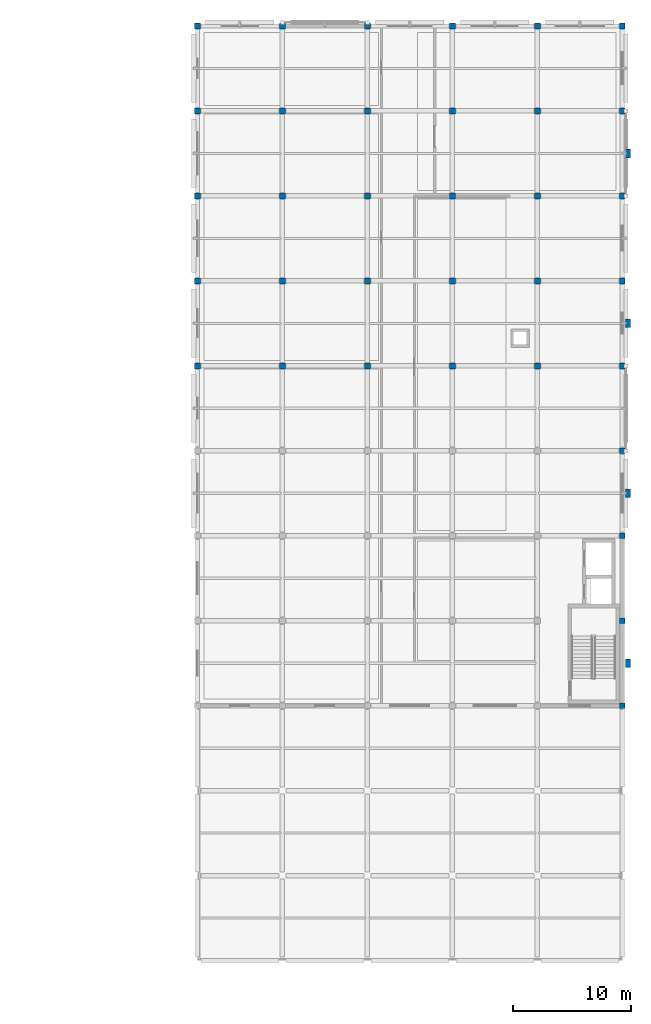
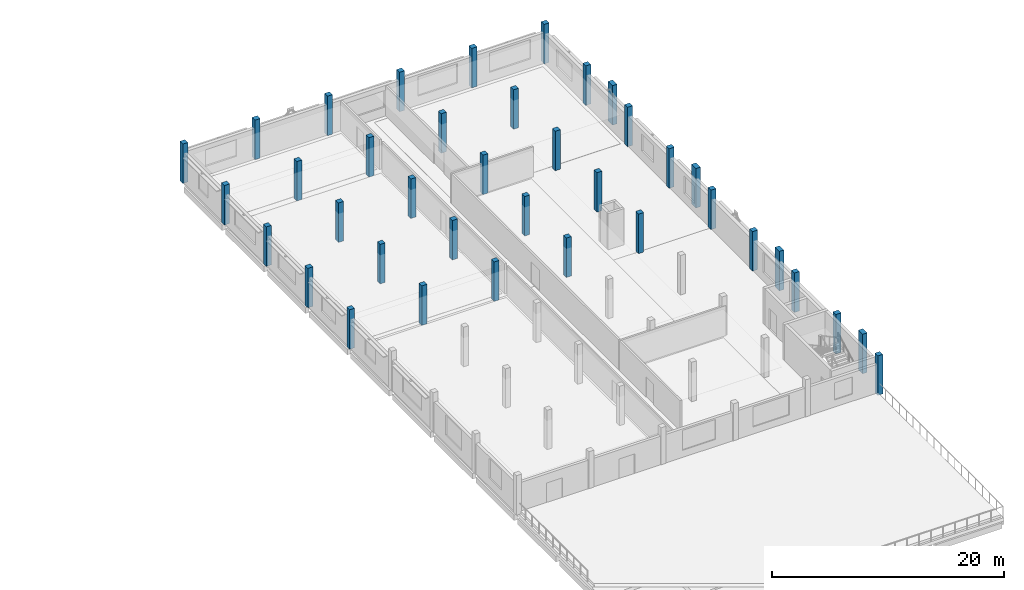
# One storey, part 2 of 33: 38 columns.
"""IFC4 building model written with IfcOpenShell, lengths in metres."""

from ifc_helpers import new_model, si_unit, direction, frame, origin, origin_2d, place, context, subcontext, project, spatial, rectangle, extrude, material, material_profile, profile_set, type_object, element, save


model = new_model("IFC4")

# Units and contexts
model_context = context("Model", 3, precision=1e-05, world=origin(), true_north=direction((0.0, 1.0)))
body_context = subcontext(model_context, "Body", "Model", "MODEL_VIEW")
ifc_project = project(units=[si_unit("LENGTHUNIT", "METRE"), si_unit("AREAUNIT", "SQUARE_METRE"), si_unit("VOLUMEUNIT", "CUBIC_METRE"), si_unit("PLANEANGLEUNIT", "RADIAN"), si_unit("MASSUNIT", "GRAM", prefix="KILO")], contexts=[model_context])

# Site, building, storey
site_placement = place(None, origin())
site = spatial("IfcSite", under=ifc_project, at=site_placement, CompositionType="ELEMENT")
building_placement = place(site_placement, origin())
building = spatial("IfcBuilding", under=site, at=building_placement, Name="Valkovuoma Quantum and Materials Research Institute", CompositionType="ELEMENT")
storey_placement = place(building_placement, frame((0.0, 0.0, 21.43994140625)))
storey = spatial("IfcBuildingStorey", under=building, at=storey_placement, Name="L05", CompositionType="ELEMENT", Elevation=21.43994140625)

# Columns
ifc_material_1 = material(Name="Concrete C40/50", Category="concrete")
ifc_material_profile_1 = material_profile(ifc_material_1, rectangle(XDim=0.449951171875, YDim=0.75, at=origin_2d()), Name="Concrete C40/50")
ifc_profile_set_1 = profile_set([ifc_material_profile_1], Name="Concrete C40/50")
column_type_1 = type_object("IfcColumnType", Name="Col-C-PIL750", PredefinedType="PILASTER", material=ifc_profile_set_1)
for number, where, z_axis, x_axis, name in (
    (1, (166.080078125, 61.199951171875, 0.0), (0.0, 0.0, 1.0), (1.0, 0.0, 0.0), "L05 service spine pilaster 02"),
    (2, (166.080078125, 75.60009765625, 0.0), (0.0, 0.0, 1.0), (1.0, 0.0, 0.0), "L05 service spine pilaster 03"),
    (3, (166.080078125, 90.0, 0.0), (0.0, 0.0, 1.0), (1.0, 0.0, 0.0), "L05 service spine pilaster 04"),
    (4, (166.080078125, 104.39990234375, 0.0), (0.0, 0.0, 1.0), (1.0, 0.0, 0.0), "L05 service spine pilaster 05"),
):
    element("IfcColumn", number, at=place(storey_placement, frame(where, z_axis=z_axis, x_axis=x_axis)), inside=storey, type_object=column_type_1, Name=name, PredefinedType="PILASTER", context=body_context, shape_type="SweptSolid", body=[
        extrude(rectangle(XDim=0.449951171875, YDim=0.75, at=origin_2d()), origin(), (0.0, 0.0, 1.0), 4.16015625),
    ])
ifc_material_2 = material(Name="Concrete C40/50", Category="concrete")
ifc_material_profile_2 = material_profile(ifc_material_2, rectangle(XDim=0.5, YDim=0.5, at=origin_2d()), Name="Concrete C40/50")
ifc_profile_set_2 = profile_set([ifc_material_profile_2], Name="Concrete C40/50")
column_type_2 = type_object("IfcColumnType", Name="Col-C-RC500", PredefinedType="COLUMN", material=ifc_profile_set_2)
for number, where, z_axis, x_axis, name in (
    (5, (129.60009765625, 86.39990234375, 0.0), (0.0, 0.0, 1.0), (1.0, 0.0, 0.0), "L05 column 19N"),
    (6, (129.60009765625, 93.60009765625, 0.0), (0.0, 0.0, 1.0), (1.0, 0.0, 0.0), "L05 column 19P"),
    (7, (129.60009765625, 100.800048828125, 0.0), (0.0, 0.0, 1.0), (1.0, 0.0, 0.0), "L05 column 19Q"),
    (8, (129.60009765625, 108.0, 0.0), (0.0, 0.0, 1.0), (1.0, 0.0, 0.0), "L05 column 19R"),
    (9, (129.60009765625, 115.199951171875, 0.0), (0.0, 0.0, 1.0), (1.0, 0.0, 0.0), "L05 column 19S"),
    (10, (136.800048828125, 86.39990234375, 0.0), (0.0, 0.0, 1.0), (1.0, 0.0, 0.0), "L05 column 20N"),
    (11, (136.800048828125, 93.60009765625, 0.0), (0.0, 0.0, 1.0), (1.0, 0.0, 0.0), "L05 column 20P"),
    (12, (136.800048828125, 100.800048828125, 0.0), (0.0, 0.0, 1.0), (1.0, 0.0, 0.0), "L05 column 20Q"),
    (13, (136.800048828125, 108.0, 0.0), (0.0, 0.0, 1.0), (1.0, 0.0, 0.0), "L05 column 20R"),
    (14, (136.800048828125, 115.199951171875, 0.0), (0.0, 0.0, 1.0), (1.0, 0.0, 0.0), "L05 column 20S"),
    (15, (144.0, 86.39990234375, 0.0), (0.0, 0.0, 1.0), (1.0, 0.0, 0.0), "L05 column 21N"),
    (16, (144.0, 93.60009765625, 0.0), (0.0, 0.0, 1.0), (1.0, 0.0, 0.0), "L05 column 21P"),
    (17, (144.0, 100.800048828125, 0.0), (0.0, 0.0, 1.0), (1.0, 0.0, 0.0), "L05 column 21Q"),
    (18, (144.0, 108.0, 0.0), (0.0, 0.0, 1.0), (1.0, 0.0, 0.0), "L05 column 21R"),
    (19, (144.0, 115.199951171875, 0.0), (0.0, 0.0, 1.0), (1.0, 0.0, 0.0), "L05 column 21S"),
    (20, (151.199951171875, 86.39990234375, 0.0), (0.0, 0.0, 1.0), (1.0, 0.0, 0.0), "L05 column 22N"),
    (21, (151.199951171875, 93.60009765625, 0.0), (0.0, 0.0, 1.0), (1.0, 0.0, 0.0), "L05 column 22P"),
    (22, (151.199951171875, 100.800048828125, 0.0), (0.0, 0.0, 1.0), (1.0, 0.0, 0.0), "L05 column 22Q"),
    (23, (151.199951171875, 108.0, 0.0), (0.0, 0.0, 1.0), (1.0, 0.0, 0.0), "L05 column 22R"),
    (24, (151.199951171875, 115.199951171875, 0.0), (0.0, 0.0, 1.0), (1.0, 0.0, 0.0), "L05 column 22S"),
    (25, (158.39990234375, 86.39990234375, 0.0), (0.0, 0.0, 1.0), (1.0, 0.0, 0.0), "L05 column 23N"),
    (26, (158.39990234375, 93.60009765625, 0.0), (0.0, 0.0, 1.0), (1.0, 0.0, 0.0), "L05 column 23P"),
    (27, (158.39990234375, 100.800048828125, 0.0), (0.0, 0.0, 1.0), (1.0, 0.0, 0.0), "L05 column 23Q"),
    (28, (158.39990234375, 108.0, 0.0), (0.0, 0.0, 1.0), (1.0, 0.0, 0.0), "L05 column 23R"),
    (29, (158.39990234375, 115.199951171875, 0.0), (0.0, 0.0, 1.0), (1.0, 0.0, 0.0), "L05 column 23S"),
    (30, (165.60009765625, 57.60009765625, 0.0), (0.0, 0.0, 1.0), (1.0, 0.0, 0.0), "L05 column 24J"),
    (31, (165.60009765625, 64.800048828125, 0.0), (0.0, 0.0, 1.0), (1.0, 0.0, 0.0), "L05 column 24K"),
    (32, (165.60009765625, 72.0, 0.0), (0.0, 0.0, 1.0), (1.0, 0.0, 0.0), "L05 column 24L"),
    (33, (165.60009765625, 79.199951171875, 0.0), (0.0, 0.0, 1.0), (1.0, 0.0, 0.0), "L05 column 24M"),
    (34, (165.60009765625, 86.39990234375, 0.0), (0.0, 0.0, 1.0), (1.0, 0.0, 0.0), "L05 column 24N"),
    (35, (165.60009765625, 93.60009765625, 0.0), (0.0, 0.0, 1.0), (1.0, 0.0, 0.0), "L05 column 24P"),
    (36, (165.60009765625, 100.800048828125, 0.0), (0.0, 0.0, 1.0), (1.0, 0.0, 0.0), "L05 column 24Q"),
    (37, (165.60009765625, 108.0, 0.0), (0.0, 0.0, 1.0), (1.0, 0.0, 0.0), "L05 column 24R"),
    (38, (165.60009765625, 115.199951171875, 0.0), (0.0, 0.0, 1.0), (1.0, 0.0, 0.0), "L05 column 24S"),
):
    element("IfcColumn", number, at=place(storey_placement, frame(where, z_axis=z_axis, x_axis=x_axis)), inside=storey, type_object=column_type_2, Name=name, PredefinedType="COLUMN", context=body_context, shape_type="SweptSolid", body=[
        extrude(rectangle(XDim=0.5, YDim=0.5, at=origin_2d()), origin(), (0.0, 0.0, 1.0), 4.16015625),
    ])

save(model, "model.ifc")
